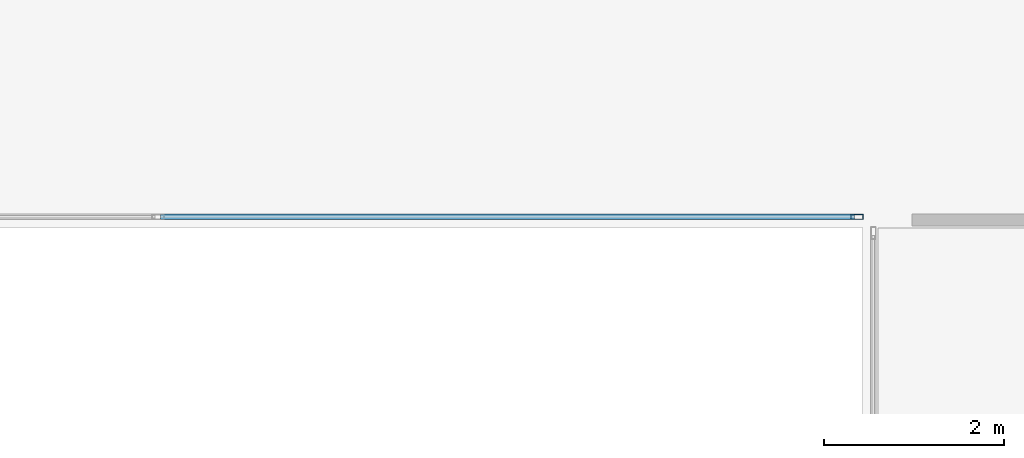
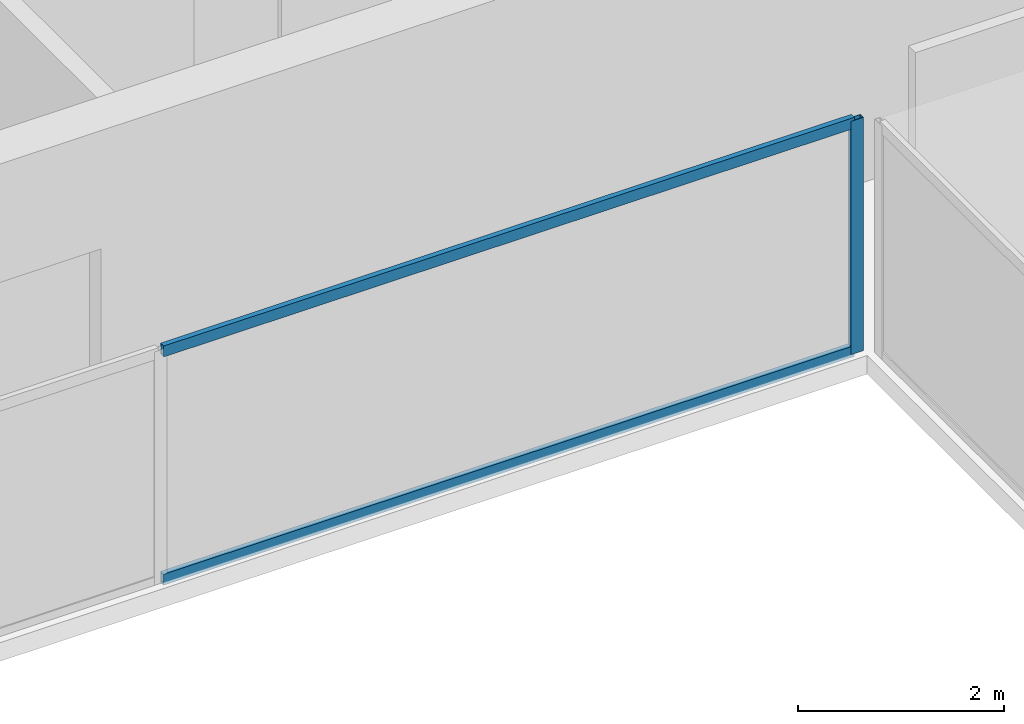
# One storey, part 11 of 30: 3 members, 1 element without a shape of its own.
"""IFC4 building model written with IfcOpenShell, lengths in metres."""

import ifcopenshell
import ifcopenshell.guid

model = None  # the IFC model being written
_history = None  # IfcOwnerHistory: only IFC2X3 demands one
_inside = {}  # id of a spatial element -> (the spatial element, [elements in it])
_under = {}  # id of a project, library or spatial element -> (it, [spatial elements below it])
_declared = {}  # id of a project -> (the project, [libraries it declares])
_typed = {}  # id of a type object -> (the type object, [elements of that type])
_made_of = {}  # id of a material, layer set ... -> (it, [elements and type objects made of it])


def new_model(schema):
    """Start an empty IFC model of exactly this schema.

    Asked for "IFC4X3", IfcOpenShell would pick the latest addendum, in which some entities
    have other attributes; the version numbers below select the first issue.
    IFC2X3 requires an IfcOwnerHistory on every rooted entity: one is made here for all.
    """
    global model, _history
    if schema == "IFC4X3":
        model = ifcopenshell.file(schema_version=(4, 3, 0, 0))
    else:
        model = ifcopenshell.file(schema=schema)
    _inside.clear()
    _under.clear()
    _declared.clear()
    _typed.clear()
    _made_of.clear()
    _history = None
    if model.schema == "IFC2X3":
        org = make("IfcOrganization", Name="unknown")
        user = make(
            "IfcPersonAndOrganization",
            ThePerson=make("IfcPerson", FamilyName="unknown"),
            TheOrganization=org,
        )
        app = make(
            "IfcApplication",
            ApplicationDeveloper=org,
            Version="unknown",
            ApplicationFullName="unknown",
            ApplicationIdentifier="unknown",
        )
        _history = make(
            "IfcOwnerHistory",
            OwningUser=user,
            OwningApplication=app,
            ChangeAction="ADDED",
            CreationDate=0,
        )
    return model


def make(cls, **values):
    """One entity of the class cls with the attributes given. An attribute that is None is left unset."""
    return model.create_entity(
        cls, **{name: value for name, value in values.items() if value is not None}
    )


def rooted(cls, **values):
    """An entity with a GlobalId (a new one), such as an element, a storey or a relation."""
    return make(cls, GlobalId=ifcopenshell.guid.new(), OwnerHistory=_history, **values)


def si_unit(unit_type, name, prefix=None):
    """IfcSIUnit, for example si_unit("LENGTHUNIT", "METRE", prefix="MILLI")."""
    return make("IfcSIUnit", UnitType=unit_type, Prefix=prefix, Name=name)


def assignment(units):
    """IfcUnitAssignment: the units of a project."""
    return None if units is None else make("IfcUnitAssignment", Units=units)


def point(xyz):
    """IfcCartesianPoint."""
    return None if xyz is None else make("IfcCartesianPoint", Coordinates=xyz)


def direction(xyz):
    """IfcDirection."""
    return None if xyz is None else make("IfcDirection", DirectionRatios=xyz)


def frame(location, z_axis=None, x_axis=None):
    """IfcAxis2Placement3D, a coordinate frame: its origin and axes. An axis left out is left unset."""
    return make(
        "IfcAxis2Placement3D",
        Location=point(location),
        Axis=direction(z_axis),
        RefDirection=direction(x_axis),
    )


def frame_2d(location, x_axis=None):
    """IfcAxis2Placement2D, a coordinate frame in the plane: its origin and x axis."""
    return make(
        "IfcAxis2Placement2D", Location=point(location), RefDirection=direction(x_axis)
    )


def origin():
    """The frame at (0, 0, 0) with its axes left unset."""
    return frame((0.0, 0.0, 0.0))


def origin_2d():
    """The frame at (0, 0) in the plane with its x axis left unset."""
    return frame_2d((0.0, 0.0))


def place(relative_to, where):
    """IfcLocalPlacement: puts the frame where relative to a parent placement (None: the world)."""
    return make(
        "IfcLocalPlacement", PlacementRelTo=relative_to, RelativePlacement=where
    )


def context(
    kind, dimensions, precision=None, world=None, true_north=None, identifier=None
):
    """IfcGeometricRepresentationContext, for example the 3D "Model" context."""
    return make(
        "IfcGeometricRepresentationContext",
        ContextIdentifier=identifier,
        ContextType=kind,
        CoordinateSpaceDimension=dimensions,
        Precision=precision,
        WorldCoordinateSystem=world,
        TrueNorth=true_north,
    )


def subcontext(parent, identifier, kind, view, scale=None):
    """IfcGeometricRepresentationSubContext, for example "Body" below "Model"."""
    return make(
        "IfcGeometricRepresentationSubContext",
        ContextIdentifier=identifier,
        ContextType=kind,
        ParentContext=parent,
        TargetScale=scale,
        TargetView=view,
    )


def project(units=None, contexts=None):
    """IfcProject with its units and contexts."""
    return rooted(
        "IfcProject",
        Name="project",
        RepresentationContexts=contexts,
        UnitsInContext=assignment(units),
    )


def spatial(cls, under=None, at=None, **own):
    """A site, building, storey or space (cls), placed at a placement, below another one or the project."""
    s = rooted(cls, ObjectPlacement=at, **own)
    if under is not None:
        _under.setdefault(under.id(), (under, []))[1].append(s)
    return s


def profile(cls, at=None, kind="AREA", **sizes):
    """A parametric profile (cls). Its sizes go by their IFC names, for example OverallWidth=200.0."""
    return make(cls, ProfileType=kind, Position=at, **sizes)


def hollow_rectangle(**sizes):
    """IfcRectangleHollowProfileDef."""
    return profile("IfcRectangleHollowProfileDef", **sizes)


def extrude(swept, where, along, depth):
    """IfcExtrudedAreaSolid: the profile swept, set in the frame where, extruded along a direction by depth."""
    return make(
        "IfcExtrudedAreaSolid",
        SweptArea=swept,
        Position=where,
        ExtrudedDirection=direction(along),
        Depth=depth,
    )


def shape(context_of_items, identifier, shape_type, items):
    """IfcShapeRepresentation: the items that make up one representation, for example the "Body"."""
    return make(
        "IfcShapeRepresentation",
        ContextOfItems=context_of_items,
        RepresentationIdentifier=identifier,
        RepresentationType=shape_type,
        Items=items,
    )


def source(mapping_origin, context_of_items, identifier, shape_type, items):
    """IfcRepresentationMap: a shape defined once, which mapped items show again and again."""
    return make(
        "IfcRepresentationMap",
        MappingOrigin=mapping_origin,
        MappedRepresentation=shape(context_of_items, identifier, shape_type, items),
    )


def transform(
    local_origin,
    x_axis=None,
    y_axis=None,
    z_axis=None,
    scale=None,
    scale2=None,
    scale3=None,
    uniform=True,
):
    """IfcCartesianTransformationOperator3D, or its non-uniform kind. x_axis, y_axis, z_axis: its Axis1, 2, 3."""
    if uniform:
        return make(
            "IfcCartesianTransformationOperator3D",
            Axis1=direction(x_axis),
            Axis2=direction(y_axis),
            LocalOrigin=point(local_origin),
            Scale=scale,
            Axis3=direction(z_axis),
        )
    return make(
        "IfcCartesianTransformationOperator3DnonUniform",
        Axis1=direction(x_axis),
        Axis2=direction(y_axis),
        LocalOrigin=point(local_origin),
        Scale=scale,
        Axis3=direction(z_axis),
        Scale2=scale2,
        Scale3=scale3,
    )


def mapped(mapping_source, mapping_target):
    """IfcMappedItem: shows the shape of a source again, moved by a transform."""
    return make(
        "IfcMappedItem", MappingSource=mapping_source, MappingTarget=mapping_target
    )


def material(Name=None, Category=None):
    """IfcMaterial."""
    return make("IfcMaterial", Name=Name, Category=Category)


def layer(
    of_material, thickness, ventilated=None, Name=None, Category=None, Priority=None
):
    """IfcMaterialLayer: one layer of a wall or slab, of a material (None: an air gap)."""
    return make(
        "IfcMaterialLayer",
        Material=of_material,
        LayerThickness=thickness,
        IsVentilated=ventilated,
        Name=Name,
        Category=Category,
        Priority=Priority,
    )


def layer_set(layers, Name=None):
    """IfcMaterialLayerSet."""
    return make("IfcMaterialLayerSet", MaterialLayers=layers, LayerSetName=Name)


def material_profile(
    of_material, cross_section, Name=None, Category=None, Priority=None
):
    """IfcMaterialProfile: a cross section and its material."""
    return make(
        "IfcMaterialProfile",
        Name=Name,
        Material=of_material,
        Profile=cross_section,
        Priority=Priority,
        Category=Category,
    )


def profile_set(profiles, Name=None, composite=None):
    """IfcMaterialProfileSet."""
    return make(
        "IfcMaterialProfileSet",
        Name=Name,
        MaterialProfiles=profiles,
        CompositeProfile=composite,
    )


def made_of(thing, what):
    """Note that an element or type object is made of a material, layer set ...; save() writes the relation."""
    if what is not None:
        _made_of.setdefault(what.id(), (what, []))[1].append(thing)
    return thing


def type_object(cls, material=None, **own):
    """A type object (cls), such as IfcWallType, which elements share."""
    return made_of(rooted(cls, **own), material)


def element(
    cls,
    number,
    at=None,
    inside=None,
    cuts=None,
    type_object=None,
    material=None,
    context=None,
    identifier="Body",
    shape_type=None,
    held_by="IfcProductDefinitionShape",
    body=None,
    shapes=None,
    **own,
):
    """One element of the class cls, such as IfcWall. Its Tag is "e" and its number.

    at: its placement. inside: the storey or other place that contains it. cuts: it is an
    opening in that element (IfcRelVoidsElement). A single representation is given by context,
    identifier, shape_type and body (its items); several are given by shapes. held_by: the class
    of the entity that holds the representations. save() writes the other relations.
    """
    e = rooted(cls, Tag="e%d" % number, ObjectPlacement=at, **own)
    if body is not None:
        shapes = [shape(context, identifier, shape_type, body)]
    if shapes is not None:
        e.Representation = make(held_by, Representations=shapes)
    if inside is not None:
        _inside.setdefault(inside.id(), (inside, []))[1].append(e)
    if cuts is not None:
        rooted(
            "IfcRelVoidsElement", RelatingBuildingElement=cuts, RelatedOpeningElement=e
        )
    if type_object is not None:
        _typed.setdefault(type_object.id(), (type_object, []))[1].append(e)
    return made_of(e, material)


def aggregate(whole, parts):
    """IfcRelAggregates: a whole, such as a stair, and the parts it consists of."""
    return rooted("IfcRelAggregates", RelatingObject=whole, RelatedObjects=parts)


def save(model, path):
    """Write the relations noted so far, then the file.

    IfcRelAggregates (storeys below a building ...), IfcRelContainedInSpatialStructure (elements
    in a storey), IfcRelDefinesByType, IfcRelAssociatesMaterial and IfcRelDeclares: one each for
    every whole, place, type object, material and project.
    """
    for whole, parts in _under.values():
        aggregate(whole, parts)
    for where, things in _inside.values():
        rooted(
            "IfcRelContainedInSpatialStructure",
            RelatedElements=things,
            RelatingStructure=where,
        )
    for kind, things in _typed.values():
        rooted("IfcRelDefinesByType", RelatedObjects=things, RelatingType=kind)
    for what, things in _made_of.values():
        rooted("IfcRelAssociatesMaterial", RelatedObjects=things, RelatingMaterial=what)
    for by, libraries in _declared.values():
        rooted("IfcRelDeclares", RelatingContext=by, RelatedDefinitions=libraries)
    model.write(path)


model = new_model("IFC4")

# Units and contexts
model_context = context("Model", 3, precision=1e-05, world=origin(), true_north=direction((0.0, 1.0)))
body_context = subcontext(model_context, "Body", "Model", "MODEL_VIEW")
ifc_project = project(units=[si_unit("LENGTHUNIT", "METRE"), si_unit("AREAUNIT", "SQUARE_METRE"), si_unit("VOLUMEUNIT", "CUBIC_METRE"), si_unit("PLANEANGLEUNIT", "RADIAN"), si_unit("MASSUNIT", "GRAM", prefix="KILO")], contexts=[model_context])

# Site, building, storey
site_placement = place(None, origin())
site = spatial("IfcSite", under=ifc_project, at=site_placement, CompositionType="ELEMENT")
building_placement = place(site_placement, origin())
building = spatial("IfcBuilding", under=site, at=building_placement, Name="Sumidabori Civic Tower", CompositionType="ELEMENT")
storey_placement = place(building_placement, frame((0.0, 0.0, 200.0)))
storey = spatial("IfcBuildingStorey", under=building, at=storey_placement, Name="L51", CompositionType="ELEMENT", Elevation=200.0)

# Curtain wall, members
ifc_material = material(Name="Anodised Bronze Aluminium AW-6063-T6", Category="aluminium")
ifc_layer = layer(ifc_material, 0.179931640625, Name="Anodised Bronze Aluminium AW-6063-T6")
ifc_layer_set = layer_set([ifc_layer], Name="Anodised Bronze Aluminium AW-6063-T6")
curtain_wall_type = type_object("IfcCurtainWallType", Name="CW-SYS-4", PredefinedType="NOTDEFINED", material=ifc_layer_set)
curtain_wall_placement = place(storey_placement, origin())
curtain_wall = element("IfcCurtainWall", 1, at=curtain_wall_placement, inside=storey, type_object=curtain_wall_type, Name="Curtain Wall CW:L51:R05", PredefinedType="NOTDEFINED")
ifc_material_profile_1 = material_profile(ifc_material, hollow_rectangle(XDim=0.06005859375, YDim=0.139892578125, WallThickness=0.0048828125, at=origin_2d()), Name="ALU MULLION 140x60")
ifc_profile_set_1 = profile_set([ifc_material_profile_1], Name="Anodised Bronze Aluminium AW-6063-T6")
member_type_1 = type_object("IfcMemberType", Name="CW-MUL-140", PredefinedType="MULLION", material=ifc_profile_set_1)
shared_shape_1 = source(origin(), body_context, "Body", "SweptSolid", [
    extrude(hollow_rectangle(XDim=0.06005859375, YDim=0.139892578125, WallThickness=0.0048828125, at=origin_2d()), origin(), (0.0, 0.0, 1.0), 2.760009765625),
])
member_1_placement = place(storey_placement, frame((7.7900390625, 7.52001953125, 0.0), z_axis=(0.0, 0.0, 1.0), x_axis=(0.0, 1.0, 0.0)))
member_1 = element("IfcMember", 2, at=member_1_placement, type_object=member_type_1, Name="CW-4 mullion 3", PredefinedType="MULLION", context=body_context, shape_type="MappedRepresentation", body=[
    mapped(shared_shape_1, transform((0.0, 0.0, 0.0), x_axis=(1.0, 0.0, 0.0), y_axis=(0.0, 1.0, 0.0), z_axis=(0.0, 0.0, 1.0), scale=1.0)),
])
ifc_material_profile_2 = material_profile(ifc_material, hollow_rectangle(XDim=0.06005859375, YDim=0.1298828125, WallThickness=0.0048828125, at=origin_2d()), Name="ALU TRANSOM 130x60")
ifc_profile_set_2 = profile_set([ifc_material_profile_2], Name="Anodised Bronze Aluminium AW-6063-T6")
member_type_2 = type_object("IfcMemberType", Name="CW-TRN-130", PredefinedType="USERDEFINED", material=ifc_profile_set_2)
shared_shape_2 = source(origin(), body_context, "Body", "SweptSolid", [
    extrude(hollow_rectangle(XDim=0.06005859375, YDim=0.1298828125, WallThickness=0.0048828125, at=origin_2d()), origin(), (0.0, 0.0, 1.0), 7.72998046875),
])
member_2_placement = place(storey_placement, frame((0.030029296875, 7.52001953125, 0.030029296875), z_axis=(1.0, 0.0, 0.0), x_axis=(0.0, 1.0, 0.0)))
member_2 = element("IfcMember", 3, at=member_2_placement, type_object=member_type_2, Name="CW-4 transom 2.1", ObjectType="TRANSOM", PredefinedType="USERDEFINED", context=body_context, shape_type="MappedRepresentation", body=[
    mapped(shared_shape_2, transform((0.0, 0.0, 0.0), x_axis=(1.0, 0.0, 0.0), y_axis=(0.0, 1.0, 0.0), z_axis=(0.0, 0.0, 1.0), scale=1.0)),
])
member_3_placement = place(storey_placement, frame((0.030029296875, 7.52001953125, 2.72998046875), z_axis=(1.0, 0.0, 0.0), x_axis=(0.0, 1.0, 0.0)))
member_3 = element("IfcMember", 4, at=member_3_placement, type_object=member_type_2, Name="CW-4 transom 2.2", ObjectType="TRANSOM", PredefinedType="USERDEFINED", context=body_context, shape_type="MappedRepresentation", body=[
    mapped(shared_shape_2, transform((0.0, 0.0, 0.0), x_axis=(1.0, 0.0, 0.0), y_axis=(0.0, 1.0, 0.0), z_axis=(0.0, 0.0, 1.0), scale=1.0)),
])
aggregate(curtain_wall, [member_1, member_2, member_3])

save(model, "model.ifc")
